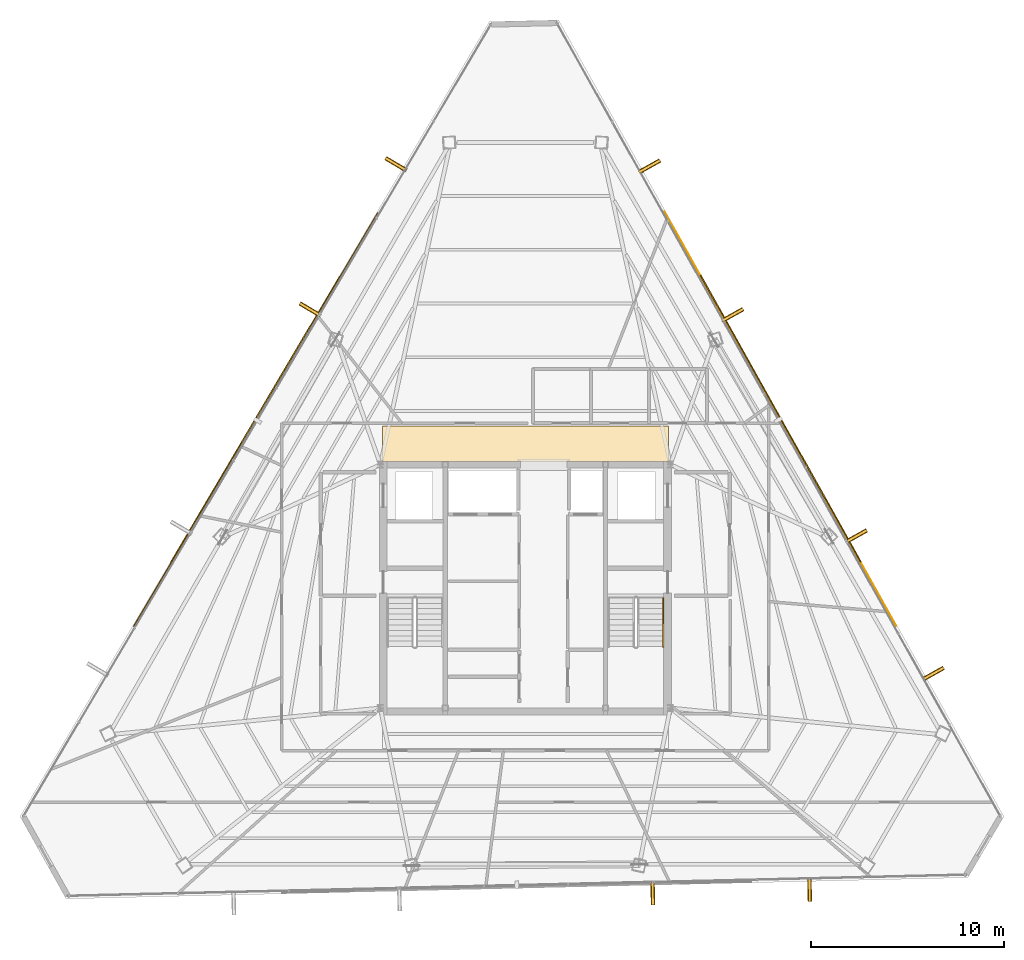
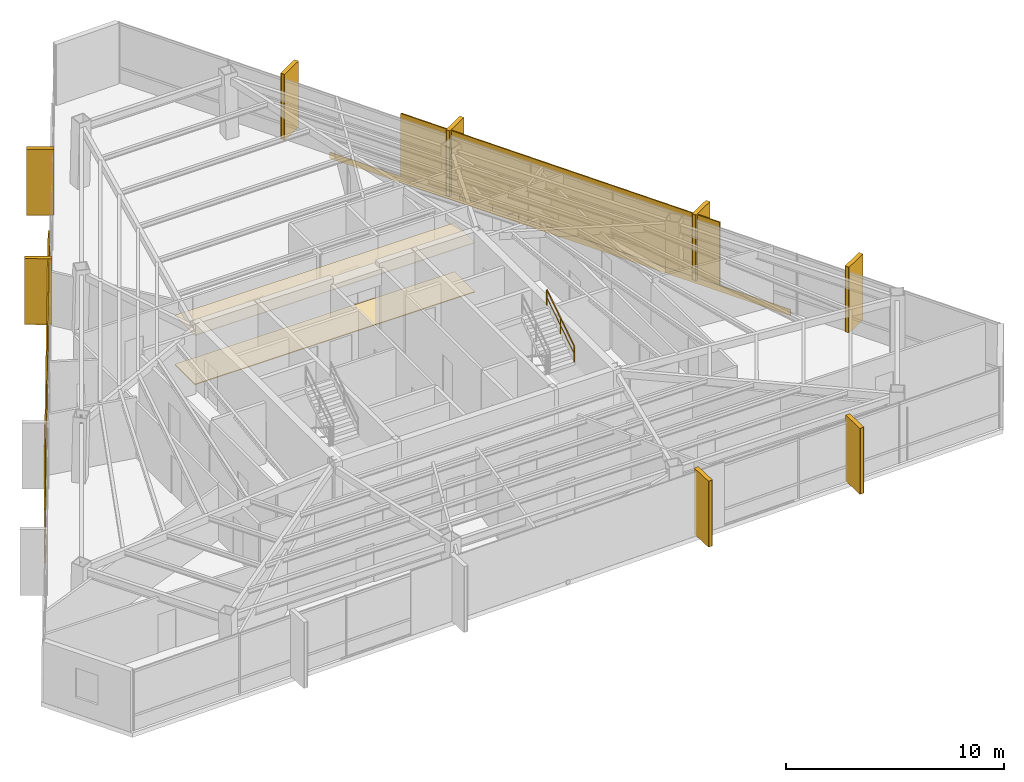
# One storey, part 46 of 46: 12 coverings, 10 shading devices, 1 railing.
"""IFC4 building model written with IfcOpenShell, lengths in metres."""

from ifc_helpers import new_model, si_unit, direction, frame, origin, origin_2d, place, context, subcontext, project, spatial, polyline, rectangle, outline, extrude, source, transform, mapped, material, layer, layer_set, type_object, type_shapes, element, save


model = new_model("IFC4")

# Units and contexts
model_context = context("Model", 3, precision=1e-05, world=origin(), true_north=direction((0.0, 1.0)))
body_context = subcontext(model_context, "Body", "Model", "MODEL_VIEW")
ifc_project = project(units=[si_unit("LENGTHUNIT", "METRE"), si_unit("AREAUNIT", "SQUARE_METRE"), si_unit("VOLUMEUNIT", "CUBIC_METRE"), si_unit("PLANEANGLEUNIT", "RADIAN"), si_unit("MASSUNIT", "GRAM", prefix="KILO")], contexts=[model_context])

# Site, building, storey
site_placement = place(None, origin())
site = spatial("IfcSite", under=ifc_project, at=site_placement, CompositionType="ELEMENT")
building_placement = place(site_placement, origin())
building = spatial("IfcBuilding", under=site, at=building_placement, Name="Caelisora Broadcast Tower", CompositionType="ELEMENT")
storey_placement = place(building_placement, frame((0.0, 0.0, 251.75)))
storey = spatial("IfcBuildingStorey", under=building, at=storey_placement, Name="L66", CompositionType="ELEMENT", Elevation=251.75)

# Coverings
ifc_material_1 = material(Name="Perforated Mineral-Fibre Acoustic Ceiling Tile", Category="gypsum")
ifc_layer_1 = layer(ifc_material_1, 0.034912109375, Name="Perforated Mineral-Fibre Acoustic Ceiling Tile")
ifc_layer_set_1 = layer_set([ifc_layer_1], Name="Perforated Mineral-Fibre Acoustic Ceiling Tile")
covering_type_1 = type_object("IfcCoveringType", Name="CE-1", PredefinedType="CEILING", material=ifc_layer_set_1)
covering_1_placement = place(storey_placement, frame((0.0, 0.0, 2.75)))
element("IfcCovering", 1, at=covering_1_placement, inside=storey, type_object=covering_type_1, Name="L66 acoustic corridor ceiling CE-1 (N)", PredefinedType="CEILING", context=body_context, shape_type="SweptSolid", body=[
    extrude(outline(polyline([(30.60009765625, 30.14990234375), (45.39990234375, 30.14990234375), (45.39990234375, 32.0), (30.60009765625, 32.0), (30.60009765625, 30.14990234375)])), origin(), (0.0, 0.0, 1.0), 0.034912109375),
])
ifc_material_2 = material(Name="Anti-Static Broadcast Raised Access Floor Panel", Category="steel")
ifc_layer_2 = layer(ifc_material_2, 0.044921875, Name="Anti-Static Broadcast Raised Access Floor Panel")
ifc_layer_set_2 = layer_set([ifc_layer_2], Name="Anti-Static Broadcast Raised Access Floor Panel")
covering_type_2 = type_object("IfcCoveringType", Name="FL-1", PredefinedType="FLOORING", material=ifc_layer_set_2)
covering_2_placement = place(storey_placement, origin())
element("IfcCovering", 2, at=covering_2_placement, inside=storey, type_object=covering_type_2, Name="L66 broadcast raised access floor FL-1 (N)", PredefinedType="FLOORING", context=body_context, shape_type="SweptSolid", body=[
    extrude(outline(polyline([(30.60009765625, 30.14990234375), (45.39990234375, 30.14990234375), (45.39990234375, 32.0), (30.60009765625, 32.0), (30.60009765625, 30.14990234375)])), origin(), (0.0, 0.0, 1.0), 0.044921875),
])

# Railing
ifc_material_3 = material(Name="Stainless Steel Grade 316 Tubular Handrail", Category="steel")
ifc_layer_3 = layer(ifc_material_3, 0.048095703125, Name="Stainless Steel Grade 316 Tubular Handrail")
ifc_layer_set_3 = layer_set([ifc_layer_3], Name="Stainless Steel Grade 316 Tubular Handrail")
railing_type = type_object("IfcRailingType", Name="HR-1", PredefinedType="HANDRAIL", material=ifc_layer_set_3)
railing_placement = place(storey_placement, frame((45.1298828125, 20.580078125, 2.007568359375)))
element("IfcRailing", 3, at=railing_placement, inside=storey, type_object=railing_type, Name="L66 ST-2 stair handrail 2", PredefinedType="HANDRAIL", context=body_context, shape_type="SweptSolid", body=[
    extrude(rectangle(XDim=0.048095703125, YDim=0.048095703125, at=origin_2d()), frame((0.0, 0.0, 0.8759765625), z_axis=(0.0, 0.837786554691, 0.545997883492), x_axis=(-1.0, 0.0, 0.0)), (0.0, 0.0, 1.0), 3.008056640625),
    extrude(rectangle(XDim=0.03125, YDim=0.03125, at=origin_2d()), frame((0.0, 0.0, 0.449951171875), z_axis=(0.0, 0.837786554691, 0.545997883492), x_axis=(-1.0, 0.0, 0.0)), (0.0, 0.0, 1.0), 3.008056640625),
    extrude(rectangle(XDim=0.0419921875, YDim=0.0419921875, at=origin_2d()), origin(), (0.0, 0.0, 1.0), 0.851806640625),
    extrude(rectangle(XDim=0.0419921875, YDim=0.0419921875, at=origin_2d()), frame((0.0, 1.260009765625, 0.8212890625)), (0.0, 0.0, 1.0), 0.851806640625),
    extrude(rectangle(XDim=0.0419921875, YDim=0.0419921875, at=origin_2d()), frame((0.0, 2.52001953125, 1.642333984375)), (0.0, 0.0, 1.0), 0.851806640625),
])

# Coverings
ifc_material_4 = material(Name="Kiln-Fired Terracotta Spandrel Rainscreen Cladding", Category="ceramic")
ifc_layer_4 = layer(ifc_material_4, 0.044921875, Name="Kiln-Fired Terracotta Spandrel Rainscreen Cladding")
ifc_layer_set_4 = layer_set([ifc_layer_4], Name="Kiln-Fired Terracotta Spandrel Rainscreen Cladding")
covering_type_3 = type_object("IfcCoveringType", Name="CL-1", PredefinedType="CLADDING", material=ifc_layer_set_4)
shared_shape_1 = source(origin(), body_context, "Body", "SweptSolid", [
    extrude(rectangle(XDim=0.219970703125, YDim=1.25, at=origin_2d()), origin(), (0.0, 0.0, 1.0), 3.68994140625),
])
for number, where, z_axis, x_axis, name in (
    (4, (44.42529296875, 45.438232421875, -0.02001953125), (0.0, 0.0, 1.0), (0.488012005351, -0.872836916401, 0.0), "L66 vertical solar fin cladding #1-1"),
    (5, (48.726806640625, 37.744384765625, -0.02001953125), (0.0, 0.0, 1.0), (0.488012005351, -0.872836916401, 0.0), "L66 vertical solar fin cladding #1-2"),
    (6, (55.127685546875, 26.295654296875, -0.02001953125), (0.0, 0.0, 1.0), (0.488012005351, -0.872836916401, 0.0), "L66 vertical solar fin cladding #1-3"),
    (7, (59.107177734375, 19.177490234375, -0.02001953125), (0.0, 0.0, 1.0), (0.488012005351, -0.872836916401, 0.0), "L66 vertical solar fin cladding #1-4"),
    (8, (52.710205078125, 8.01708984375, -0.02001953125), (0.0, 0.0, 1.0), (-0.999722430218, -0.023559764834, 0.0), "L66 vertical solar fin cladding #2-1"),
    (9, (44.59228515625, 7.82568359375, -0.02001953125), (0.0, 0.0, 1.0), (-0.999722430218, -0.023559764834, 0.0), "L66 vertical solar fin cladding #2-2"),
    (10, (26.85888671875, 38.027099609375, -0.02001953125), (0.0, 0.0, 1.0), (0.508440380454, 0.861097195167, 0.0), "L66 vertical solar fin cladding #3-3"),
    (11, (31.2978515625, 45.54541015625, -0.02001953125), (0.0, 0.0, 1.0), (0.508440380454, 0.861097195167, 0.0), "L66 vertical solar fin cladding #3-4"),
):
    element("IfcCovering", number, at=place(storey_placement, frame(where, z_axis=z_axis, x_axis=x_axis)), inside=storey, type_object=covering_type_3, Name=name, PredefinedType="CLADDING", context=body_context, shape_type="MappedRepresentation", body=[
        mapped(shared_shape_1, transform((0.0, 0.0, 0.0), scale=1.0)),
    ])

# Shading devices
ifc_material_5 = material(Name="Extruded Terracotta Flaring Colonnade Fin", Category="ceramic")
ifc_layer_5 = layer(ifc_material_5, 0.139892578125, Name="Extruded Terracotta Flaring Colonnade Fin")
ifc_layer_set_5 = layer_set([ifc_layer_5], Name="Extruded Terracotta Flaring Colonnade Fin")
shading_device_type_1 = type_object("IfcShadingDeviceType", Name="FN-1", PredefinedType="USERDEFINED", material=ifc_layer_set_5)
shared_shape_2 = source(origin(), body_context, "Body", "SweptSolid", [
    extrude(rectangle(XDim=0.139892578125, YDim=1.25, at=origin_2d()), origin(), (0.0, 0.0, 1.0), 3.669921875),
])
type_shapes(shading_device_type_1, [shared_shape_2])
for number, where, z_axis, x_axis, name in (
    (12, (44.42529296875, 45.438232421875, -0.010009765625), (0.0, 0.0, 1.0), (0.488012005351, -0.872836916401, 0.0), "L66 vertical terracotta fin #1-1"),
    (13, (48.726806640625, 37.744384765625, -0.010009765625), (0.0, 0.0, 1.0), (0.488012005351, -0.872836916401, 0.0), "L66 vertical terracotta fin #1-2"),
    (14, (55.127685546875, 26.295654296875, -0.010009765625), (0.0, 0.0, 1.0), (0.488012005351, -0.872836916401, 0.0), "L66 vertical terracotta fin #1-3"),
    (15, (59.107177734375, 19.177490234375, -0.010009765625), (0.0, 0.0, 1.0), (0.488012005351, -0.872836916401, 0.0), "L66 vertical terracotta fin #1-4"),
    (16, (52.710205078125, 8.01708984375, -0.010009765625), (0.0, 0.0, 1.0), (-0.999722430218, -0.023559764834, 0.0), "L66 vertical terracotta fin #2-1"),
    (17, (44.59228515625, 7.82568359375, -0.010009765625), (0.0, 0.0, 1.0), (-0.999722430218, -0.023559764834, 0.0), "L66 vertical terracotta fin #2-2"),
    (18, (26.85888671875, 38.027099609375, -0.010009765625), (0.0, 0.0, 1.0), (0.508440380454, 0.861097195167, 0.0), "L66 vertical terracotta fin #3-3"),
    (19, (31.2978515625, 45.54541015625, -0.010009765625), (0.0, 0.0, 1.0), (0.508440380454, 0.861097195167, 0.0), "L66 vertical terracotta fin #3-4"),
):
    element("IfcShadingDevice", number, at=place(storey_placement, frame(where, z_axis=z_axis, x_axis=x_axis)), inside=storey, type_object=shading_device_type_1, Name=name, ObjectType="FIN", PredefinedType="USERDEFINED", context=body_context, shape_type="MappedRepresentation", body=[
        mapped(shared_shape_2, transform((0.0, 0.0, 0.0), scale=1.0)),
    ])
ifc_material_6 = material(Name="Perforated Glazed Terracotta Baguette Solar Screen", Category="ceramic")
ifc_layer_6 = layer(ifc_material_6, 0.06494140625, Name="Perforated Glazed Terracotta Baguette Solar Screen")
ifc_layer_set_6 = layer_set([ifc_layer_6], Name="Perforated Glazed Terracotta Baguette Solar Screen")
shading_device_type_2 = type_object("IfcShadingDeviceType", Name="SS-1", PredefinedType="USERDEFINED", material=ifc_layer_set_6)
shared_shape_3 = source(origin(), body_context, "Body", "SweptSolid", [
    extrude(rectangle(XDim=17.199951171875, YDim=0.06494140625, at=origin_2d()), origin(), (0.0, 0.0, 1.0), 3.590087890625),
])
shading_device_1_placement = place(storey_placement, frame((24.021484375, 32.336181640625, 0.0), z_axis=(0.0, 0.0, 1.0), x_axis=(-0.508440380454, -0.861097195167, 0.0)))
element("IfcShadingDevice", 20, at=shading_device_1_placement, inside=storey, type_object=shading_device_type_2, Name="L66 perforated terracotta solar screen #1", ObjectType="SOLAR SCREEN", PredefinedType="USERDEFINED", context=body_context, shape_type="MappedRepresentation", body=[
    mapped(shared_shape_3, transform((0.0, 0.0, 0.0), scale=1.0)),
])

# Covering
shared_shape_4 = source(origin(), body_context, "Body", "SweptSolid", [
    extrude(rectangle(XDim=24.843994140625, YDim=0.044921875, at=origin_2d()), origin(), (0.0, 0.0, 1.0), 0.340087890625),
])
covering_3_placement = place(storey_placement, frame((24.038818359375, 32.325927734375, -0.27001953125), z_axis=(0.0, 0.0, 1.0), x_axis=(-0.508440380454, -0.861097195167, 0.0)))
element("IfcCovering", 21, at=covering_3_placement, inside=storey, type_object=covering_type_3, Name="L66 terracotta spandrel rainscreen #1", PredefinedType="CLADDING", context=body_context, shape_type="MappedRepresentation", body=[
    mapped(shared_shape_4, transform((0.0, 0.0, 0.0), scale=1.0)),
])

# Shading device
shared_shape_5 = source(origin(), body_context, "Body", "SweptSolid", [
    extrude(rectangle(XDim=17.00390625, YDim=0.06494140625, at=origin_2d()), origin(), (0.0, 0.0, 1.0), 3.590087890625),
])
type_shapes(shading_device_type_2, [shared_shape_3, shared_shape_5])
shading_device_2_placement = place(storey_placement, frame((51.211669921875, 32.3779296875, 0.0), z_axis=(0.0, 0.0, 1.0), x_axis=(-0.488012005351, 0.872836916401, 0.0)))
element("IfcShadingDevice", 22, at=shading_device_2_placement, inside=storey, type_object=shading_device_type_2, Name="L66 perforated terracotta solar screen #3", ObjectType="SOLAR SCREEN", PredefinedType="USERDEFINED", context=body_context, shape_type="MappedRepresentation", body=[
    mapped(shared_shape_5, transform((0.0, 0.0, 0.0), scale=1.0)),
])

# Covering
shared_shape_6 = source(origin(), body_context, "Body", "SweptSolid", [
    extrude(rectangle(XDim=24.56103515625, YDim=0.044921875, at=origin_2d()), origin(), (0.0, 0.0, 1.0), 0.340087890625),
])
type_shapes(covering_type_3, [shared_shape_1, shared_shape_4, shared_shape_6])
covering_4_placement = place(storey_placement, frame((51.194091796875, 32.3681640625, -0.27001953125), z_axis=(0.0, 0.0, 1.0), x_axis=(-0.488012005351, 0.872836916401, 0.0)))
element("IfcCovering", 23, at=covering_4_placement, inside=storey, type_object=covering_type_3, Name="L66 terracotta spandrel rainscreen #3", PredefinedType="CLADDING", context=body_context, shape_type="MappedRepresentation", body=[
    mapped(shared_shape_6, transform((0.0, 0.0, 0.0), scale=1.0)),
])

save(model, "model.ifc")
